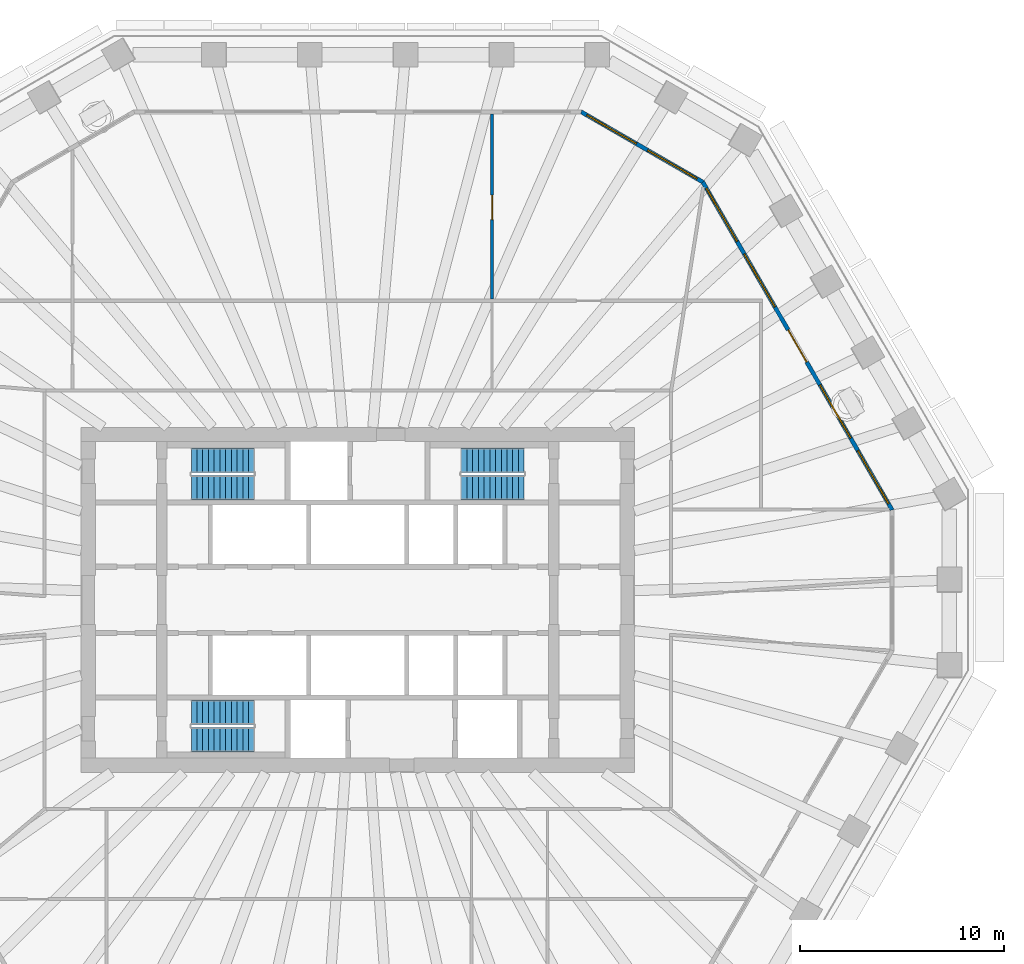
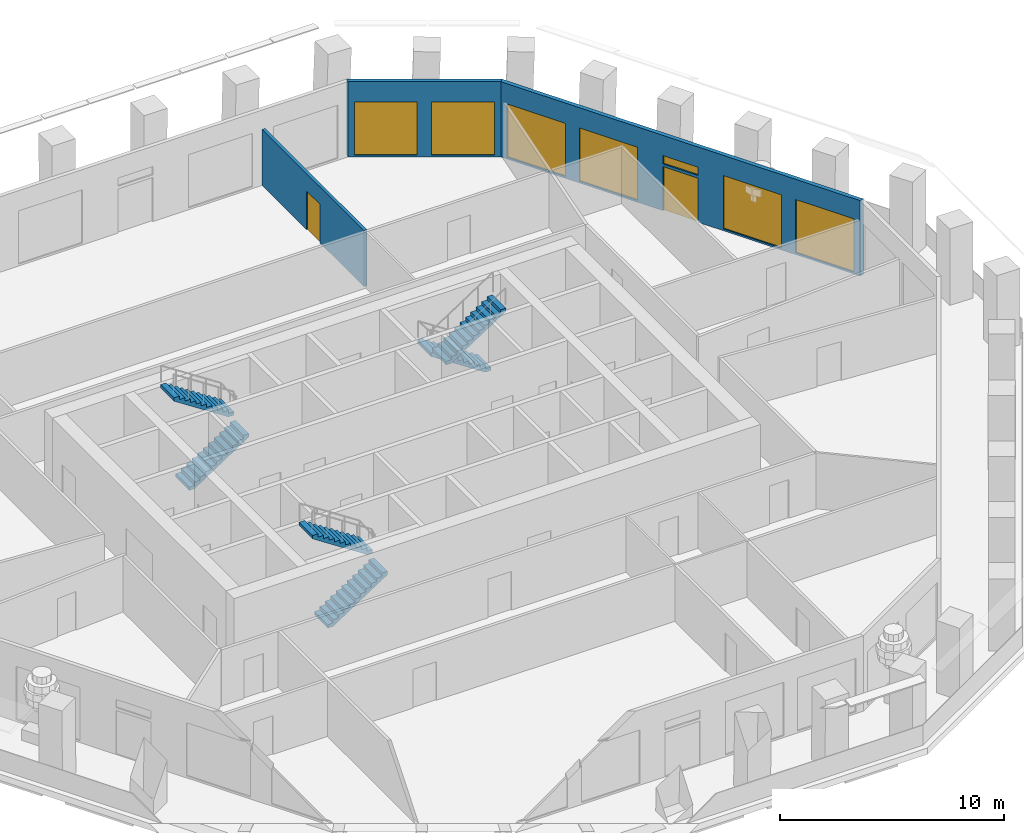
# One storey, part 8 of 12: 7 windows, 6 stair flights, 3 walls, 2 doors, 9 openings, 3 elements without a shape of their own.
"""IFC4 building model written with IfcOpenShell, lengths in metres."""

import ifcopenshell
import ifcopenshell.guid

model = None  # the IFC model being written
_history = None  # IfcOwnerHistory: only IFC2X3 demands one
_inside = {}  # id of a spatial element -> (the spatial element, [elements in it])
_under = {}  # id of a project, library or spatial element -> (it, [spatial elements below it])
_declared = {}  # id of a project -> (the project, [libraries it declares])
_typed = {}  # id of a type object -> (the type object, [elements of that type])
_made_of = {}  # id of a material, layer set ... -> (it, [elements and type objects made of it])


def new_model(schema):
    """Start an empty IFC model of exactly this schema.

    Asked for "IFC4X3", IfcOpenShell would pick the latest addendum, in which some entities
    have other attributes; the version numbers below select the first issue.
    IFC2X3 requires an IfcOwnerHistory on every rooted entity: one is made here for all.
    """
    global model, _history
    if schema == "IFC4X3":
        model = ifcopenshell.file(schema_version=(4, 3, 0, 0))
    else:
        model = ifcopenshell.file(schema=schema)
    _inside.clear()
    _under.clear()
    _declared.clear()
    _typed.clear()
    _made_of.clear()
    _history = None
    if model.schema == "IFC2X3":
        org = make("IfcOrganization", Name="unknown")
        user = make(
            "IfcPersonAndOrganization",
            ThePerson=make("IfcPerson", FamilyName="unknown"),
            TheOrganization=org,
        )
        app = make(
            "IfcApplication",
            ApplicationDeveloper=org,
            Version="unknown",
            ApplicationFullName="unknown",
            ApplicationIdentifier="unknown",
        )
        _history = make(
            "IfcOwnerHistory",
            OwningUser=user,
            OwningApplication=app,
            ChangeAction="ADDED",
            CreationDate=0,
        )
    return model


def make(cls, **values):
    """One entity of the class cls with the attributes given. An attribute that is None is left unset."""
    return model.create_entity(
        cls, **{name: value for name, value in values.items() if value is not None}
    )


def rooted(cls, **values):
    """An entity with a GlobalId (a new one), such as an element, a storey or a relation."""
    return make(cls, GlobalId=ifcopenshell.guid.new(), OwnerHistory=_history, **values)


def si_unit(unit_type, name, prefix=None):
    """IfcSIUnit, for example si_unit("LENGTHUNIT", "METRE", prefix="MILLI")."""
    return make("IfcSIUnit", UnitType=unit_type, Prefix=prefix, Name=name)


def assignment(units):
    """IfcUnitAssignment: the units of a project."""
    return None if units is None else make("IfcUnitAssignment", Units=units)


def point(xyz):
    """IfcCartesianPoint."""
    return None if xyz is None else make("IfcCartesianPoint", Coordinates=xyz)


def direction(xyz):
    """IfcDirection."""
    return None if xyz is None else make("IfcDirection", DirectionRatios=xyz)


def frame(location, z_axis=None, x_axis=None):
    """IfcAxis2Placement3D, a coordinate frame: its origin and axes. An axis left out is left unset."""
    return make(
        "IfcAxis2Placement3D",
        Location=point(location),
        Axis=direction(z_axis),
        RefDirection=direction(x_axis),
    )


def frame_2d(location, x_axis=None):
    """IfcAxis2Placement2D, a coordinate frame in the plane: its origin and x axis."""
    return make(
        "IfcAxis2Placement2D", Location=point(location), RefDirection=direction(x_axis)
    )


def origin():
    """The frame at (0, 0, 0) with its axes left unset."""
    return frame((0.0, 0.0, 0.0))


def place(relative_to, where):
    """IfcLocalPlacement: puts the frame where relative to a parent placement (None: the world)."""
    return make(
        "IfcLocalPlacement", PlacementRelTo=relative_to, RelativePlacement=where
    )


def context(
    kind, dimensions, precision=None, world=None, true_north=None, identifier=None
):
    """IfcGeometricRepresentationContext, for example the 3D "Model" context."""
    return make(
        "IfcGeometricRepresentationContext",
        ContextIdentifier=identifier,
        ContextType=kind,
        CoordinateSpaceDimension=dimensions,
        Precision=precision,
        WorldCoordinateSystem=world,
        TrueNorth=true_north,
    )


def subcontext(parent, identifier, kind, view, scale=None):
    """IfcGeometricRepresentationSubContext, for example "Body" below "Model"."""
    return make(
        "IfcGeometricRepresentationSubContext",
        ContextIdentifier=identifier,
        ContextType=kind,
        ParentContext=parent,
        TargetScale=scale,
        TargetView=view,
    )


def project(units=None, contexts=None):
    """IfcProject with its units and contexts."""
    return rooted(
        "IfcProject",
        Name="project",
        RepresentationContexts=contexts,
        UnitsInContext=assignment(units),
    )


def spatial(cls, under=None, at=None, **own):
    """A site, building, storey or space (cls), placed at a placement, below another one or the project."""
    s = rooted(cls, ObjectPlacement=at, **own)
    if under is not None:
        _under.setdefault(under.id(), (under, []))[1].append(s)
    return s


def polyline(points):
    """IfcPolyline through the points."""
    return make("IfcPolyline", Points=[point(p) for p in points])


def profile(cls, at=None, kind="AREA", **sizes):
    """A parametric profile (cls). Its sizes go by their IFC names, for example OverallWidth=200.0."""
    return make(cls, ProfileType=kind, Position=at, **sizes)


def rectangle(**sizes):
    """IfcRectangleProfileDef."""
    return profile("IfcRectangleProfileDef", **sizes)


def outline(outer, holes=None, kind="AREA"):
    """IfcArbitraryClosedProfileDef: a profile drawn as a closed curve; with holes, ...WithVoids."""
    if holes is None:
        return make("IfcArbitraryClosedProfileDef", ProfileType=kind, OuterCurve=outer)
    return make(
        "IfcArbitraryProfileDefWithVoids",
        ProfileType=kind,
        OuterCurve=outer,
        InnerCurves=holes,
    )


def extrude(swept, where, along, depth):
    """IfcExtrudedAreaSolid: the profile swept, set in the frame where, extruded along a direction by depth."""
    return make(
        "IfcExtrudedAreaSolid",
        SweptArea=swept,
        Position=where,
        ExtrudedDirection=direction(along),
        Depth=depth,
    )


def shape(context_of_items, identifier, shape_type, items):
    """IfcShapeRepresentation: the items that make up one representation, for example the "Body"."""
    return make(
        "IfcShapeRepresentation",
        ContextOfItems=context_of_items,
        RepresentationIdentifier=identifier,
        RepresentationType=shape_type,
        Items=items,
    )


def material(Name=None, Category=None):
    """IfcMaterial."""
    return make("IfcMaterial", Name=Name, Category=Category)


def layer(
    of_material, thickness, ventilated=None, Name=None, Category=None, Priority=None
):
    """IfcMaterialLayer: one layer of a wall or slab, of a material (None: an air gap)."""
    return make(
        "IfcMaterialLayer",
        Material=of_material,
        LayerThickness=thickness,
        IsVentilated=ventilated,
        Name=Name,
        Category=Category,
        Priority=Priority,
    )


def layer_set(layers, Name=None):
    """IfcMaterialLayerSet."""
    return make("IfcMaterialLayerSet", MaterialLayers=layers, LayerSetName=Name)


def made_of(thing, what):
    """Note that an element or type object is made of a material, layer set ...; save() writes the relation."""
    if what is not None:
        _made_of.setdefault(what.id(), (what, []))[1].append(thing)
    return thing


def type_object(cls, material=None, **own):
    """A type object (cls), such as IfcWallType, which elements share."""
    return made_of(rooted(cls, **own), material)


def element(
    cls,
    number,
    at=None,
    inside=None,
    cuts=None,
    type_object=None,
    material=None,
    context=None,
    identifier="Body",
    shape_type=None,
    held_by="IfcProductDefinitionShape",
    body=None,
    shapes=None,
    **own,
):
    """One element of the class cls, such as IfcWall. Its Tag is "e" and its number.

    at: its placement. inside: the storey or other place that contains it. cuts: it is an
    opening in that element (IfcRelVoidsElement). A single representation is given by context,
    identifier, shape_type and body (its items); several are given by shapes. held_by: the class
    of the entity that holds the representations. save() writes the other relations.
    """
    e = rooted(cls, Tag="e%d" % number, ObjectPlacement=at, **own)
    if body is not None:
        shapes = [shape(context, identifier, shape_type, body)]
    if shapes is not None:
        e.Representation = make(held_by, Representations=shapes)
    if inside is not None:
        _inside.setdefault(inside.id(), (inside, []))[1].append(e)
    if cuts is not None:
        rooted(
            "IfcRelVoidsElement", RelatingBuildingElement=cuts, RelatedOpeningElement=e
        )
    if type_object is not None:
        _typed.setdefault(type_object.id(), (type_object, []))[1].append(e)
    return made_of(e, material)


def fill(opening, filler):
    """IfcRelFillsElement: the door or window that sits in an opening."""
    return rooted(
        "IfcRelFillsElement",
        RelatingOpeningElement=opening,
        RelatedBuildingElement=filler,
    )


def aggregate(whole, parts):
    """IfcRelAggregates: a whole, such as a stair, and the parts it consists of."""
    return rooted("IfcRelAggregates", RelatingObject=whole, RelatedObjects=parts)


def save(model, path):
    """Write the relations noted so far, then the file.

    IfcRelAggregates (storeys below a building ...), IfcRelContainedInSpatialStructure (elements
    in a storey), IfcRelDefinesByType, IfcRelAssociatesMaterial and IfcRelDeclares: one each for
    every whole, place, type object, material and project.
    """
    for whole, parts in _under.values():
        aggregate(whole, parts)
    for where, things in _inside.values():
        rooted(
            "IfcRelContainedInSpatialStructure",
            RelatedElements=things,
            RelatingStructure=where,
        )
    for kind, things in _typed.values():
        rooted("IfcRelDefinesByType", RelatedObjects=things, RelatingType=kind)
    for what, things in _made_of.values():
        rooted("IfcRelAssociatesMaterial", RelatedObjects=things, RelatingMaterial=what)
    for by, libraries in _declared.values():
        rooted("IfcRelDeclares", RelatingContext=by, RelatedDefinitions=libraries)
    model.write(path)


model = new_model("IFC4")

# Units and contexts
model_context = context("Model", 3, precision=1e-05, world=origin(), true_north=direction((0.0, 1.0)))
body_context = subcontext(model_context, "Body", "Model", "MODEL_VIEW")
ifc_project = project(units=[si_unit("LENGTHUNIT", "METRE"), si_unit("AREAUNIT", "SQUARE_METRE"), si_unit("VOLUMEUNIT", "CUBIC_METRE"), si_unit("PLANEANGLEUNIT", "RADIAN"), si_unit("MASSUNIT", "GRAM", prefix="KILO")], contexts=[model_context])

# Site, building, storey
site_placement = place(None, origin())
site = spatial("IfcSite", under=ifc_project, at=site_placement, CompositionType="ELEMENT")
building_placement = place(site_placement, origin())
building = spatial("IfcBuilding", under=site, at=building_placement, Name="Frailejon Research Tower", CompositionType="ELEMENT")
storey_placement = place(building_placement, frame((0.0, 0.0, 176.0)))
storey = spatial("IfcBuildingStorey", under=building, at=storey_placement, Name="L38", CompositionType="ELEMENT", Elevation=176.0)

# Wall, opening, door
ifc_material_1 = material(Name="Gypsum board and masonry partition", Category="masonry")
ifc_layer_1 = layer(ifc_material_1, 0.14990234375)
ifc_layer_set_1 = layer_set([ifc_layer_1], Name="Laboratory partition, blockwork 150")
wall_type_1 = type_object("IfcWallType", Name="Laboratory partition, blockwork 150", PredefinedType="PARTITIONING", material=ifc_layer_set_1)
wall_1_placement = place(storey_placement, frame((6.58447265625, 14.72509765625, 0.0), z_axis=(0.0, 0.0, 1.0), x_axis=(0.0, 1.0, 0.0)))
wall_1 = element("IfcWall", 1, at=wall_1_placement, inside=storey, type_object=wall_type_1, Name="T:IW:L38:015", PredefinedType="PARTITIONING", context=body_context, shape_type="SweptSolid", body=[
    extrude(rectangle(XDim=9.074951171875, YDim=0.14990234375, at=frame_2d((4.53759765625, 0.0))), origin(), (0.0, 0.0, 1.0), 3.050048828125),
])
opening_1_placement = place(wall_1_placement, frame((3.89990234375, 0.0, 0.0)))
opening_1 = element("IfcOpeningElement", 2, at=opening_1_placement, cuts=wall_1, Name="Opening D1828", PredefinedType="OPENING", context=body_context, shape_type="SweptSolid", body=[
    extrude(rectangle(XDim=1.199951171875, YDim=2.10009765625, at=frame_2d((0.60009765625, 1.050048828125))), frame((0.0, 0.0849609375, 0.0), z_axis=(0.0, -1.0, 0.0), x_axis=(1.0, 0.0, 0.0)), (0.0, 0.0, 1.0), 0.169921875),
])
ifc_material_2 = material(Name="Timber door leaf", Category="wood")
door_type_1 = type_object("IfcDoorType", Name="Door laboratory, timber, vision panel 1200", OperationType="NOTDEFINED", PredefinedType="DOOR", material=ifc_material_2)
door_1_placement = place(opening_1_placement, origin())
door_1 = element("IfcDoor", 3, at=door_1_placement, inside=storey, type_object=door_type_1, Name="D1828", OperationType="DOUBLE_DOOR_SINGLE_SWING", OverallHeight=2.10009765625, OverallWidth=1.199951171875, PredefinedType="DOOR", context=body_context, shape_type="SweptSolid", body=[
    extrude(rectangle(XDim=1.199951171875, YDim=2.10009765625, at=frame_2d((0.60009765625, 1.050048828125))), frame((0.0, 0.02490234375, 0.0), z_axis=(0.0, -1.0, 0.0), x_axis=(1.0, 0.0, 0.0)), (0.0, 0.0, 1.0), 0.050048828125),
])
fill(opening_1, door_1)

# Wall, openings, door, windows
ifc_material_3 = material(Name="Concrete C40/50 precast window wall panel", Category="concrete")
ifc_layer_2 = layer(ifc_material_3, 0.199951171875)
ifc_layer_set_2 = layer_set([ifc_layer_2], Name="Window wall 200")
wall_type_2 = type_object("IfcWallType", Name="Window wall 200", PredefinedType="SOLIDWALL", material=ifc_layer_set_2)
wall_2_placement = place(storey_placement, frame((26.171630859375, 4.4052734375, 0.0), z_axis=(0.0, 0.0, 1.0), x_axis=(-0.500000942564, 0.866024859594, 0.0)))
wall_2 = element("IfcWall", 4, at=wall_2_placement, inside=storey, type_object=wall_type_2, Name="Exterior wall L38", PredefinedType="SOLIDWALL", context=body_context, shape_type="SweptSolid", body=[
    extrude(outline(polyline([(-0.02685546875, -0.10009765625), (1.006103515625, -0.10009765625), (2.039306640625, -0.10009765625), (3.072265625, -0.10009765625), (4.10546875, -0.10009765625), (5.138427734375, -0.10009765625), (6.171630859375, -0.10009765625), (7.20458984375, -0.10009765625), (8.23779296875, -0.10009765625), (9.270751953125, -0.10009765625), (10.3037109375, -0.10009765625), (11.3369140625, -0.10009765625), (12.369873046875, -0.10009765625), (13.403076171875, -0.10009765625), (14.43603515625, -0.10009765625), (15.46923828125, -0.10009765625), (16.502197265625, -0.10009765625), (17.535400390625, -0.10009765625), (18.568359375, -0.10009765625), (18.5146484375, 0.10009765625), (17.487548828125, 0.10009765625), (16.46044921875, 0.10009765625), (15.433349609375, 0.10009765625), (14.40625, 0.10009765625), (13.379150390625, 0.10009765625), (12.35205078125, 0.10009765625), (11.324951171875, 0.10009765625), (10.2978515625, 0.10009765625), (9.270751953125, 0.10009765625), (8.24365234375, 0.10009765625), (7.216552734375, 0.10009765625), (6.189453125, 0.10009765625), (5.162353515625, 0.10009765625), (4.13525390625, 0.10009765625), (3.108154296875, 0.10009765625), (2.0810546875, 0.10009765625), (1.053955078125, 0.10009765625), (0.02685546875, 0.10009765625), (-0.02685546875, -0.10009765625)])), origin(), (0.0, 0.0, 1.0), 4.10009765625),
])
opening_2_placement = place(wall_2_placement, frame((0.354248046875, 0.0, 0.10009765625)))
opening_2 = element("IfcOpeningElement", 5, at=opening_2_placement, cuts=wall_2, Name="Opening W4", PredefinedType="OPENING", context=body_context, shape_type="SweptSolid", body=[
    extrude(rectangle(XDim=3.0, YDim=2.89990234375, at=frame_2d((1.5, 1.449951171875))), frame((0.0, 0.10986328125, 0.0), z_axis=(0.0, -1.0, 0.0), x_axis=(1.0, 0.0, 0.0)), (0.0, 0.0, 1.0), 0.219970703125),
])
opening_3_placement = place(wall_2_placement, frame((4.0625, 0.0, 0.10009765625)))
opening_3 = element("IfcOpeningElement", 6, at=opening_3_placement, cuts=wall_2, Name="Opening W4", PredefinedType="OPENING", context=body_context, shape_type="SweptSolid", body=[
    extrude(rectangle(XDim=3.0, YDim=2.89990234375, at=frame_2d((1.5, 1.449951171875))), frame((0.0, 0.10986328125, 0.0), z_axis=(0.0, -1.0, 0.0), x_axis=(1.0, 0.0, 0.0)), (0.0, 0.0, 1.0), 0.219970703125),
])
opening_4_placement = place(wall_2_placement, frame((8.370849609375, 0.0, 0.0)))
opening_4 = element("IfcOpeningElement", 7, at=opening_4_placement, cuts=wall_2, Name="Opening LG38-1", PredefinedType="OPENING", context=body_context, shape_type="SweptSolid", body=[
    extrude(rectangle(XDim=1.800048828125, YDim=2.39990234375, at=frame_2d((0.89990234375, 1.199951171875))), frame((0.0, 0.10986328125, 0.0), z_axis=(0.0, -1.0, 0.0), x_axis=(1.0, 0.0, 0.0)), (0.0, 0.0, 1.0), 0.219970703125),
])
opening_5_placement = place(wall_2_placement, frame((8.370849609375, 0.0, 2.550048828125)))
opening_5 = element("IfcOpeningElement", 8, at=opening_5_placement, cuts=wall_2, Name="Opening W1", PredefinedType="OPENING", context=body_context, shape_type="SweptSolid", body=[
    extrude(rectangle(XDim=1.800048828125, YDim=0.449951171875, at=frame_2d((0.89990234375, 0.22509765625))), frame((0.0, 0.10986328125, 0.0), z_axis=(0.0, -1.0, 0.0), x_axis=(1.0, 0.0, 0.0)), (0.0, 0.0, 1.0), 0.219970703125),
])
opening_6_placement = place(wall_2_placement, frame((11.47900390625, 0.0, 0.10009765625)))
opening_6 = element("IfcOpeningElement", 9, at=opening_6_placement, cuts=wall_2, Name="Opening W4", PredefinedType="OPENING", context=body_context, shape_type="SweptSolid", body=[
    extrude(rectangle(XDim=3.0, YDim=2.89990234375, at=frame_2d((1.5, 1.449951171875))), frame((0.0, 0.10986328125, 0.0), z_axis=(0.0, -1.0, 0.0), x_axis=(1.0, 0.0, 0.0)), (0.0, 0.0, 1.0), 0.219970703125),
])
opening_7_placement = place(wall_2_placement, frame((15.1875, 0.0, 0.10009765625)))
opening_7 = element("IfcOpeningElement", 10, at=opening_7_placement, cuts=wall_2, Name="Opening W4", PredefinedType="OPENING", context=body_context, shape_type="SweptSolid", body=[
    extrude(rectangle(XDim=3.0, YDim=2.89990234375, at=frame_2d((1.5, 1.449951171875))), frame((0.0, 0.10986328125, 0.0), z_axis=(0.0, -1.0, 0.0), x_axis=(1.0, 0.0, 0.0)), (0.0, 0.0, 1.0), 0.219970703125),
])
ifc_material_4 = material(Name="Aluminium framed glazed door leaf", Category="aluminium")
door_type_2 = type_object("IfcDoorType", Name="Loggia door 1800x2400", OperationType="DOUBLE_DOOR_SINGLE_SWING", PredefinedType="DOOR", material=ifc_material_4)
door_2_placement = place(opening_4_placement, origin())
door_2 = element("IfcDoor", 11, at=door_2_placement, inside=storey, type_object=door_type_2, Name="Door LG38-1", OperationType="DOUBLE_DOOR_SINGLE_SWING", OverallHeight=2.39990234375, OverallWidth=1.800048828125, PredefinedType="DOOR", context=body_context, shape_type="SweptSolid", body=[
    extrude(rectangle(XDim=1.800048828125, YDim=2.39990234375, at=frame_2d((0.89990234375, 1.199951171875))), frame((0.0, 0.02490234375, 0.0), z_axis=(0.0, -1.0, 0.0), x_axis=(1.0, 0.0, 0.0)), (0.0, 0.0, 1.0), 0.050048828125),
])
fill(opening_4, door_2)
ifc_material_5 = material(Name="Aluminium framed double glazing", Category="aluminium")
window_type_1 = type_object("IfcWindowType", Name="Window 1800x450", PartitioningType="SINGLE_PANEL", PredefinedType="WINDOW", material=ifc_material_5)
window_1_placement = place(opening_5_placement, origin())
window_1 = element("IfcWindow", 12, at=window_1_placement, inside=storey, type_object=window_type_1, Name="Window L38", OverallHeight=0.449951171875, OverallWidth=1.800048828125, PartitioningType="SINGLE_PANEL", PredefinedType="WINDOW", context=body_context, shape_type="SweptSolid", body=[
    extrude(rectangle(XDim=1.800048828125, YDim=0.449951171875, at=frame_2d((0.89990234375, 0.22509765625))), frame((0.0, 0.030029296875, 0.0), z_axis=(0.0, -1.0, 0.0), x_axis=(1.0, 0.0, 0.0)), (0.0, 0.0, 1.0), 0.06005859375),
])
fill(opening_5, window_1)
ifc_material_6 = material(Name="Aluminium framed double glazing", Category="aluminium")
window_type_2 = type_object("IfcWindowType", Name="Window 3000x2900", PartitioningType="SINGLE_PANEL", PredefinedType="WINDOW", material=ifc_material_6)
window_2_placement = place(opening_2_placement, origin())
window_2 = element("IfcWindow", 13, at=window_2_placement, inside=storey, type_object=window_type_2, Name="Window L38", OverallHeight=2.89990234375, OverallWidth=3.0, PartitioningType="SINGLE_PANEL", PredefinedType="WINDOW", context=body_context, shape_type="SweptSolid", body=[
    extrude(rectangle(XDim=3.0, YDim=2.89990234375, at=frame_2d((1.5, 1.449951171875))), frame((0.0, 0.030029296875, 0.0), z_axis=(0.0, -1.0, 0.0), x_axis=(1.0, 0.0, 0.0)), (0.0, 0.0, 1.0), 0.06005859375),
])
fill(opening_2, window_2)
window_3_placement = place(opening_3_placement, origin())
window_3 = element("IfcWindow", 14, at=window_3_placement, inside=storey, type_object=window_type_2, Name="Window L38", OverallHeight=2.89990234375, OverallWidth=3.0, PartitioningType="SINGLE_PANEL", PredefinedType="WINDOW", context=body_context, shape_type="SweptSolid", body=[
    extrude(rectangle(XDim=3.0, YDim=2.89990234375, at=frame_2d((1.5, 1.449951171875))), frame((0.0, 0.030029296875, 0.0), z_axis=(0.0, -1.0, 0.0), x_axis=(1.0, 0.0, 0.0)), (0.0, 0.0, 1.0), 0.06005859375),
])
fill(opening_3, window_3)
window_4_placement = place(opening_6_placement, origin())
window_4 = element("IfcWindow", 15, at=window_4_placement, inside=storey, type_object=window_type_2, Name="Window L38", OverallHeight=2.89990234375, OverallWidth=3.0, PartitioningType="SINGLE_PANEL", PredefinedType="WINDOW", context=body_context, shape_type="SweptSolid", body=[
    extrude(rectangle(XDim=3.0, YDim=2.89990234375, at=frame_2d((1.5, 1.449951171875))), frame((0.0, 0.030029296875, 0.0), z_axis=(0.0, -1.0, 0.0), x_axis=(1.0, 0.0, 0.0)), (0.0, 0.0, 1.0), 0.06005859375),
])
fill(opening_6, window_4)
window_5_placement = place(opening_7_placement, origin())
window_5 = element("IfcWindow", 16, at=window_5_placement, inside=storey, type_object=window_type_2, Name="Window L38", OverallHeight=2.89990234375, OverallWidth=3.0, PartitioningType="SINGLE_PANEL", PredefinedType="WINDOW", context=body_context, shape_type="SweptSolid", body=[
    extrude(rectangle(XDim=3.0, YDim=2.89990234375, at=frame_2d((1.5, 1.449951171875))), frame((0.0, 0.030029296875, 0.0), z_axis=(0.0, -1.0, 0.0), x_axis=(1.0, 0.0, 0.0)), (0.0, 0.0, 1.0), 0.06005859375),
])
fill(opening_7, window_5)

# Wall, openings, windows
wall_3_placement = place(storey_placement, frame((16.90087890625, 20.462646484375, 0.0), z_axis=(0.0, 0.0, 1.0), x_axis=(-0.866029458321, 0.49999297727, 0.0)))
wall_3 = element("IfcWall", 17, at=wall_3_placement, inside=storey, type_object=wall_type_2, Name="Exterior wall L38", PredefinedType="SOLIDWALL", context=body_context, shape_type="SweptSolid", body=[
    extrude(outline(polyline([(-0.02685546875, -0.10009765625), (1.1279296875, -0.10009765625), (2.282470703125, -0.10009765625), (3.437255859375, -0.10009765625), (4.592041015625, -0.10009765625), (5.74658203125, -0.10009765625), (6.9013671875, -0.10009765625), (6.84765625, 0.10009765625), (5.7109375, 0.10009765625), (4.573974609375, 0.10009765625), (3.437255859375, 0.10009765625), (2.300537109375, 0.10009765625), (1.16357421875, 0.10009765625), (0.02685546875, 0.10009765625), (-0.02685546875, -0.10009765625)])), origin(), (0.0, 0.0, 1.0), 4.10009765625),
])
opening_8_placement = place(wall_3_placement, frame((0.318603515625, 0.0, 0.10009765625)))
opening_8 = element("IfcOpeningElement", 18, at=opening_8_placement, cuts=wall_3, Name="Opening W3", PredefinedType="OPENING", context=body_context, shape_type="SweptSolid", body=[
    extrude(rectangle(XDim=2.800048828125, YDim=2.89990234375, at=frame_2d((1.39990234375, 1.449951171875))), frame((0.0, 0.10986328125, 0.0), z_axis=(0.0, -1.0, 0.0), x_axis=(1.0, 0.0, 0.0)), (0.0, 0.0, 1.0), 0.219970703125),
])
opening_9_placement = place(wall_3_placement, frame((3.756103515625, 0.0, 0.10009765625)))
opening_9 = element("IfcOpeningElement", 19, at=opening_9_placement, cuts=wall_3, Name="Opening W3", PredefinedType="OPENING", context=body_context, shape_type="SweptSolid", body=[
    extrude(rectangle(XDim=2.800048828125, YDim=2.89990234375, at=frame_2d((1.39990234375, 1.449951171875))), frame((0.0, 0.10986328125, 0.0), z_axis=(0.0, -1.0, 0.0), x_axis=(1.0, 0.0, 0.0)), (0.0, 0.0, 1.0), 0.219970703125),
])
ifc_material_7 = material(Name="Aluminium framed double glazing", Category="aluminium")
window_type_3 = type_object("IfcWindowType", Name="Window 2800x2900", PartitioningType="SINGLE_PANEL", PredefinedType="WINDOW", material=ifc_material_7)
window_6_placement = place(opening_8_placement, origin())
window_6 = element("IfcWindow", 20, at=window_6_placement, inside=storey, type_object=window_type_3, Name="Window L38", OverallHeight=2.89990234375, OverallWidth=2.800048828125, PartitioningType="SINGLE_PANEL", PredefinedType="WINDOW", context=body_context, shape_type="SweptSolid", body=[
    extrude(rectangle(XDim=2.800048828125, YDim=2.89990234375, at=frame_2d((1.39990234375, 1.449951171875))), frame((0.0, 0.030029296875, 0.0), z_axis=(0.0, -1.0, 0.0), x_axis=(1.0, 0.0, 0.0)), (0.0, 0.0, 1.0), 0.06005859375),
])
fill(opening_8, window_6)
window_7_placement = place(opening_9_placement, origin())
window_7 = element("IfcWindow", 21, at=window_7_placement, inside=storey, type_object=window_type_3, Name="Window L38", OverallHeight=2.89990234375, OverallWidth=2.800048828125, PartitioningType="SINGLE_PANEL", PredefinedType="WINDOW", context=body_context, shape_type="SweptSolid", body=[
    extrude(rectangle(XDim=2.800048828125, YDim=2.89990234375, at=frame_2d((1.39990234375, 1.449951171875))), frame((0.0, 0.030029296875, 0.0), z_axis=(0.0, -1.0, 0.0), x_axis=(1.0, 0.0, 0.0)), (0.0, 0.0, 1.0), 0.06005859375),
])
fill(opening_9, window_7)

# Stair, stair flights
ifc_material_8 = material(Name="Concrete C50/60", Category="concrete")
stair_type = type_object("IfcStairType", Name="Exit stair 24 risers", PredefinedType="HALF_TURN_STAIR", material=ifc_material_8)
stair_1_placement = place(storey_placement, origin())
stair_1 = element("IfcStair", 22, at=stair_1_placement, inside=storey, type_object=stair_type, Name="L38 Exit stair ST1", PredefinedType="HALF_TURN_STAIR")
ifc_material_9 = material(Name="Concrete C50/60", Category="concrete")
ifc_layer_3 = layer(ifc_material_9, 0.14990234375)
ifc_layer_set_3 = layer_set([ifc_layer_3], Name="Stair flight 12 risers")
stair_flight_type = type_object("IfcStairFlightType", Name="Stair flight 12 risers", PredefinedType="STRAIGHT", material=ifc_layer_set_3)
stair_flight_1_placement = place(storey_placement, frame((-8.14990234375, 5.5, 0.0), z_axis=(0.0, 0.0, 1.0), x_axis=(1.0, 0.0, 0.0)))
stair_flight_1 = element("IfcStairFlight", 23, at=stair_flight_1_placement, type_object=stair_flight_type, Name="ST1 flight 1", NumberOfRisers=12, NumberOfTreads=11, PredefinedType="STRAIGHT", RiserHeight=0.183333333, TreadLength=0.28, context=body_context, shape_type="SweptSolid", body=[
    extrude(outline(polyline([(0.0, 0.0), (0.0, 0.183349609375), (0.280029296875, 0.183349609375), (0.280029296875, 0.36669921875), (0.56005859375, 0.36669921875), (0.56005859375, 0.550048828125), (0.840087890625, 0.550048828125), (0.840087890625, 0.7333984375), (1.1201171875, 0.7333984375), (1.1201171875, 0.916748046875), (1.39990234375, 0.916748046875), (1.39990234375, 1.10009765625), (1.679931640625, 1.10009765625), (1.679931640625, 1.283447265625), (1.9599609375, 1.283447265625), (1.9599609375, 1.466552734375), (2.239990234375, 1.466552734375), (2.239990234375, 1.64990234375), (2.52001953125, 1.64990234375), (2.52001953125, 1.833251953125), (2.800048828125, 1.833251953125), (2.800048828125, 2.0166015625), (3.080078125, 2.0166015625), (3.080078125, 2.199951171875), (3.080078125, 1.83740234375), (0.273681640625, 0.0), (0.0, 0.0)])), frame((0.0, 0.60009765625, 0.0), z_axis=(0.0, -1.0, 0.0), x_axis=(1.0, 0.0, 0.0)), (0.0, 0.0, 1.0), 1.199951171875),
])
stair_flight_2_placement = place(storey_placement, frame((-5.070068359375, 6.85009765625, 2.199951171875), z_axis=(0.0, 0.0, 1.0), x_axis=(-1.0, 0.0, 0.0)))
stair_flight_2 = element("IfcStairFlight", 24, at=stair_flight_2_placement, type_object=stair_flight_type, Name="ST1 flight 2", NumberOfRisers=12, NumberOfTreads=11, PredefinedType="STRAIGHT", RiserHeight=0.183333333, TreadLength=0.28, context=body_context, shape_type="SweptSolid", body=[
    extrude(outline(polyline([(0.0, 0.0), (0.0, 0.183349609375), (0.280029296875, 0.183349609375), (0.280029296875, 0.36669921875), (0.56005859375, 0.36669921875), (0.56005859375, 0.550048828125), (0.840087890625, 0.550048828125), (0.840087890625, 0.7333984375), (1.1201171875, 0.7333984375), (1.1201171875, 0.916748046875), (1.39990234375, 0.916748046875), (1.39990234375, 1.10009765625), (1.679931640625, 1.10009765625), (1.679931640625, 1.283447265625), (1.9599609375, 1.283447265625), (1.9599609375, 1.466552734375), (2.239990234375, 1.466552734375), (2.239990234375, 1.64990234375), (2.52001953125, 1.64990234375), (2.52001953125, 1.833251953125), (2.800048828125, 1.833251953125), (2.800048828125, 2.0166015625), (3.080078125, 2.0166015625), (3.080078125, 2.199951171875), (3.080078125, 1.83740234375), (0.273681640625, 0.0), (0.0, 0.0)])), frame((0.0, 0.60009765625, 0.0), z_axis=(0.0, -1.0, 0.0), x_axis=(1.0, 0.0, 0.0)), (0.0, 0.0, 1.0), 1.199951171875),
])
aggregate(stair_1, [stair_flight_1, stair_flight_2])

stair_2_placement = place(storey_placement, origin())
stair_2 = element("IfcStair", 25, at=stair_2_placement, inside=storey, type_object=stair_type, Name="L38 Exit stair ST2", PredefinedType="HALF_TURN_STAIR")
stair_flight_3_placement = place(storey_placement, frame((-8.14990234375, -6.85009765625, 0.0), z_axis=(0.0, 0.0, 1.0), x_axis=(1.0, 0.0, 0.0)))
stair_flight_3 = element("IfcStairFlight", 26, at=stair_flight_3_placement, type_object=stair_flight_type, Name="ST2 flight 1", NumberOfRisers=12, NumberOfTreads=11, PredefinedType="STRAIGHT", RiserHeight=0.183333333, TreadLength=0.28, context=body_context, shape_type="SweptSolid", body=[
    extrude(outline(polyline([(0.0, 0.0), (0.0, 0.183349609375), (0.280029296875, 0.183349609375), (0.280029296875, 0.36669921875), (0.56005859375, 0.36669921875), (0.56005859375, 0.550048828125), (0.840087890625, 0.550048828125), (0.840087890625, 0.7333984375), (1.1201171875, 0.7333984375), (1.1201171875, 0.916748046875), (1.39990234375, 0.916748046875), (1.39990234375, 1.10009765625), (1.679931640625, 1.10009765625), (1.679931640625, 1.283447265625), (1.9599609375, 1.283447265625), (1.9599609375, 1.466552734375), (2.239990234375, 1.466552734375), (2.239990234375, 1.64990234375), (2.52001953125, 1.64990234375), (2.52001953125, 1.833251953125), (2.800048828125, 1.833251953125), (2.800048828125, 2.0166015625), (3.080078125, 2.0166015625), (3.080078125, 2.199951171875), (3.080078125, 1.83740234375), (0.273681640625, 0.0), (0.0, 0.0)])), frame((0.0, 0.60009765625, 0.0), z_axis=(0.0, -1.0, 0.0), x_axis=(1.0, 0.0, 0.0)), (0.0, 0.0, 1.0), 1.199951171875),
])
stair_flight_4_placement = place(storey_placement, frame((-5.070068359375, -5.5, 2.199951171875), z_axis=(0.0, 0.0, 1.0), x_axis=(-1.0, 0.0, 0.0)))
stair_flight_4 = element("IfcStairFlight", 27, at=stair_flight_4_placement, type_object=stair_flight_type, Name="ST2 flight 2", NumberOfRisers=12, NumberOfTreads=11, PredefinedType="STRAIGHT", RiserHeight=0.183333333, TreadLength=0.28, context=body_context, shape_type="SweptSolid", body=[
    extrude(outline(polyline([(0.0, 0.0), (0.0, 0.183349609375), (0.280029296875, 0.183349609375), (0.280029296875, 0.36669921875), (0.56005859375, 0.36669921875), (0.56005859375, 0.550048828125), (0.840087890625, 0.550048828125), (0.840087890625, 0.7333984375), (1.1201171875, 0.7333984375), (1.1201171875, 0.916748046875), (1.39990234375, 0.916748046875), (1.39990234375, 1.10009765625), (1.679931640625, 1.10009765625), (1.679931640625, 1.283447265625), (1.9599609375, 1.283447265625), (1.9599609375, 1.466552734375), (2.239990234375, 1.466552734375), (2.239990234375, 1.64990234375), (2.52001953125, 1.64990234375), (2.52001953125, 1.833251953125), (2.800048828125, 1.833251953125), (2.800048828125, 2.0166015625), (3.080078125, 2.0166015625), (3.080078125, 2.199951171875), (3.080078125, 1.83740234375), (0.273681640625, 0.0), (0.0, 0.0)])), frame((0.0, 0.60009765625, 0.0), z_axis=(0.0, -1.0, 0.0), x_axis=(1.0, 0.0, 0.0)), (0.0, 0.0, 1.0), 1.199951171875),
])
aggregate(stair_2, [stair_flight_3, stair_flight_4])

stair_3_placement = place(storey_placement, origin())
stair_3 = element("IfcStair", 28, at=stair_3_placement, inside=storey, type_object=stair_type, Name="L38 Exit stair ST3", PredefinedType="HALF_TURN_STAIR")
stair_flight_5_placement = place(storey_placement, frame((8.14990234375, 6.85009765625, 0.0), z_axis=(0.0, 0.0, 1.0), x_axis=(-1.0, 0.0, 0.0)))
stair_flight_5 = element("IfcStairFlight", 29, at=stair_flight_5_placement, type_object=stair_flight_type, Name="ST3 flight 1", NumberOfRisers=12, NumberOfTreads=11, PredefinedType="STRAIGHT", RiserHeight=0.183333333, TreadLength=0.28, context=body_context, shape_type="SweptSolid", body=[
    extrude(outline(polyline([(0.0, 0.0), (0.0, 0.183349609375), (0.280029296875, 0.183349609375), (0.280029296875, 0.36669921875), (0.56005859375, 0.36669921875), (0.56005859375, 0.550048828125), (0.840087890625, 0.550048828125), (0.840087890625, 0.7333984375), (1.1201171875, 0.7333984375), (1.1201171875, 0.916748046875), (1.39990234375, 0.916748046875), (1.39990234375, 1.10009765625), (1.679931640625, 1.10009765625), (1.679931640625, 1.283447265625), (1.9599609375, 1.283447265625), (1.9599609375, 1.466552734375), (2.239990234375, 1.466552734375), (2.239990234375, 1.64990234375), (2.52001953125, 1.64990234375), (2.52001953125, 1.833251953125), (2.800048828125, 1.833251953125), (2.800048828125, 2.0166015625), (3.080078125, 2.0166015625), (3.080078125, 2.199951171875), (3.080078125, 1.83740234375), (0.273681640625, 0.0), (0.0, 0.0)])), frame((0.0, 0.60009765625, 0.0), z_axis=(0.0, -1.0, 0.0), x_axis=(1.0, 0.0, 0.0)), (0.0, 0.0, 1.0), 1.199951171875),
])
stair_flight_6_placement = place(storey_placement, frame((5.070068359375, 5.5, 2.199951171875), z_axis=(0.0, 0.0, 1.0), x_axis=(1.0, 0.0, 0.0)))
stair_flight_6 = element("IfcStairFlight", 30, at=stair_flight_6_placement, type_object=stair_flight_type, Name="ST3 flight 2", NumberOfRisers=12, NumberOfTreads=11, PredefinedType="STRAIGHT", RiserHeight=0.183333333, TreadLength=0.28, context=body_context, shape_type="SweptSolid", body=[
    extrude(outline(polyline([(0.0, 0.0), (0.0, 0.183349609375), (0.280029296875, 0.183349609375), (0.280029296875, 0.36669921875), (0.56005859375, 0.36669921875), (0.56005859375, 0.550048828125), (0.840087890625, 0.550048828125), (0.840087890625, 0.7333984375), (1.1201171875, 0.7333984375), (1.1201171875, 0.916748046875), (1.39990234375, 0.916748046875), (1.39990234375, 1.10009765625), (1.679931640625, 1.10009765625), (1.679931640625, 1.283447265625), (1.9599609375, 1.283447265625), (1.9599609375, 1.466552734375), (2.239990234375, 1.466552734375), (2.239990234375, 1.64990234375), (2.52001953125, 1.64990234375), (2.52001953125, 1.833251953125), (2.800048828125, 1.833251953125), (2.800048828125, 2.0166015625), (3.080078125, 2.0166015625), (3.080078125, 2.199951171875), (3.080078125, 1.83740234375), (0.273681640625, 0.0), (0.0, 0.0)])), frame((0.0, 0.60009765625, 0.0), z_axis=(0.0, -1.0, 0.0), x_axis=(1.0, 0.0, 0.0)), (0.0, 0.0, 1.0), 1.199951171875),
])
aggregate(stair_3, [stair_flight_5, stair_flight_6])

save(model, "model.ifc")
